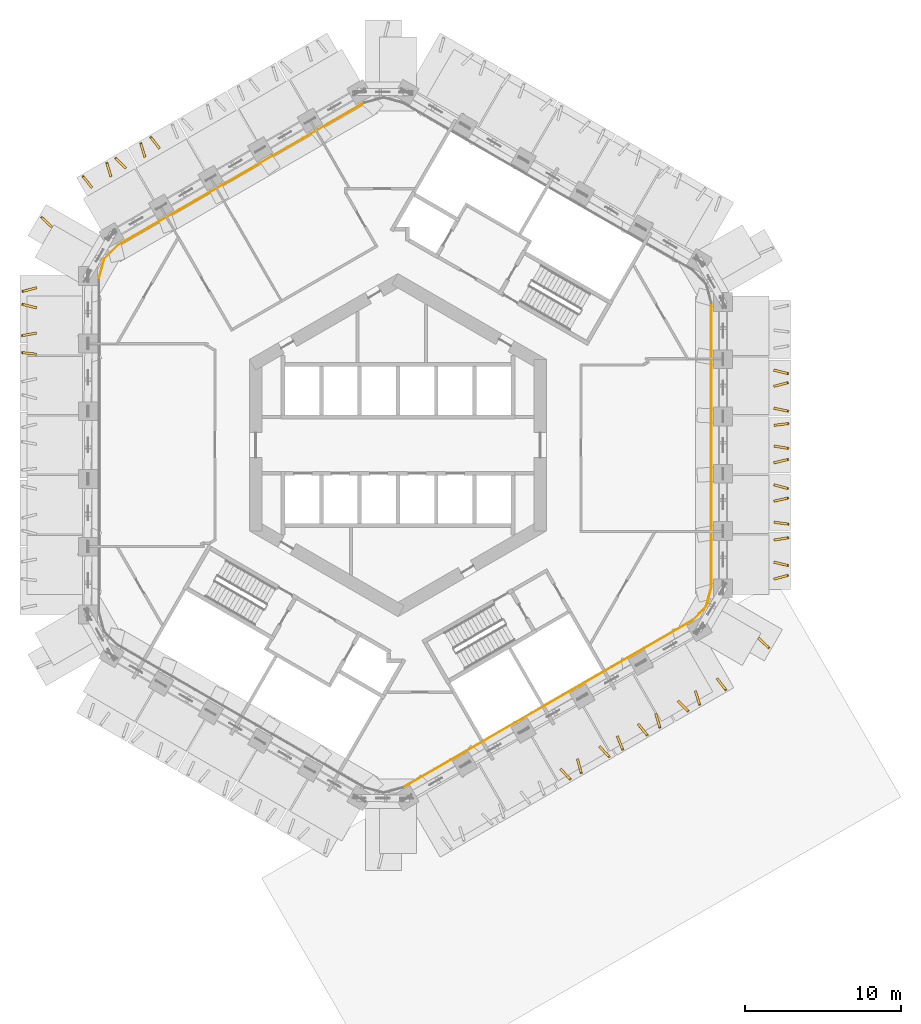
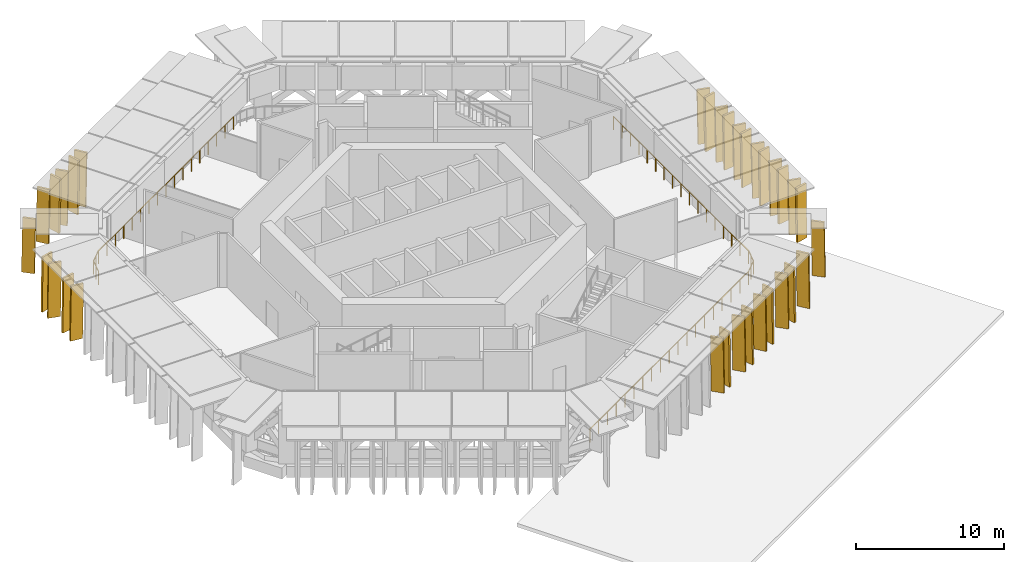
# One storey, part 14 of 16: 32 shading devices, 5 railings.
"""IFC4 building model written with IfcOpenShell, lengths in metres."""

from ifc_helpers import new_model, si_unit, direction, frame, origin, origin_2d, place, context, subcontext, project, spatial, polyline, circle, outline, extrude, material, layer, layer_set, type_object, element, save


model = new_model("IFC4")

# Units and contexts
model_context = context("Model", 3, precision=1e-05, world=origin(), true_north=direction((0.0, 1.0)))
body_context = subcontext(model_context, "Body", "Model", "MODEL_VIEW")
ifc_project = project(units=[si_unit("LENGTHUNIT", "METRE"), si_unit("AREAUNIT", "SQUARE_METRE"), si_unit("VOLUMEUNIT", "CUBIC_METRE"), si_unit("PLANEANGLEUNIT", "RADIAN"), si_unit("MASSUNIT", "GRAM", prefix="KILO")], contexts=[model_context])

# Site, building, storey
site_placement = place(None, origin())
site = spatial("IfcSite", under=ifc_project, at=site_placement, CompositionType="ELEMENT")
building_placement = place(site_placement, origin())
building = spatial("IfcBuilding", under=site, at=building_placement, Name="Ayvan Gate Tower", CompositionType="ELEMENT")
storey_placement = place(building_placement, frame((0.0, 0.0, 78.300048828125)))
storey = spatial("IfcBuildingStorey", under=building, at=storey_placement, Name="L20", CompositionType="ELEMENT", Elevation=78.300048828125)

# Shading devices
ifc_material_1 = material(Name="Bronze anodised aluminium", Category="aluminium")
ifc_layer = layer(ifc_material_1, 0.14990234375)
ifc_layer_set = layer_set([ifc_layer], Name="Bronze anodised aluminium")
shading_device_type = type_object("IfcShadingDeviceType", Name="Bronze fin 900 x 150", PredefinedType="USERDEFINED", material=ifc_layer_set)
shading_device_1_placement = place(storey_placement, frame((-15.220458984375, 19.064208984375, 0.0), z_axis=(0.78802844166, 0.615638742976, 0.000336573535), x_axis=(-0.615638777837, 0.788028486302, -3.5977e-08)))
element("IfcShadingDevice", 1, at=shading_device_1_placement, inside=storey, type_object=shading_device_type, Name="Bronze fin FG06.1.11", ObjectType="FIN", PredefinedType="USERDEFINED", context=body_context, shape_type="SweptSolid", body=[
    extrude(outline(polyline([(0.0, 0.0), (0.899928500883632, -2.710505431213761e-20), (0.8280711252017352, 4.500000284675394), (-0.0720076781178922, 4.500000219916683), (0.0, 0.0)])), origin(), (0.0, 0.0, -1.0), 0.14990234375),
])
shading_device_2_placement = place(storey_placement, frame((-16.126953125, 18.501708984375, 0.0), z_axis=(0.955866901319, 0.293799873458, 0.000318307569), x_axis=(-0.293799888338, 0.955866949744, -1.2683e-08)))
element("IfcShadingDevice", 2, at=shading_device_2_placement, inside=storey, type_object=shading_device_type, Name="Bronze fin FG06.1.12", ObjectType="FIN", PredefinedType="USERDEFINED", context=body_context, shape_type="SweptSolid", body=[
    extrude(outline(polyline([(0.0, 0.0), (0.9000635766521777, -1.3552527156068805e-20), (0.8279775809336907, 4.500000238470928), (-0.07185262976395976, 4.500000215642167), (0.0, 0.0)])), origin(), (0.0, 0.0, -1.0), 0.14990234375),
])
shading_device_3_placement = place(storey_placement, frame((-17.400390625, 17.803955078125, 0.0), z_axis=(0.707242369731, 0.70697108382, 0.000342198211), x_axis=(-0.706971125213, 0.70724241114, 0.0)))
element("IfcShadingDevice", 3, at=shading_device_3_placement, inside=storey, type_object=shading_device_type, Name="Bronze fin FG06.1.13", ObjectType="FIN", PredefinedType="USERDEFINED", context=body_context, shape_type="SweptSolid", body=[
    extrude(outline(polyline([(0.0, 0.0), (0.8999384077507213, 0.0), (0.8279499450758525, 4.500000263474158), (-0.07198846267486883, 4.500000263474158), (0.0, 0.0)])), origin(), (0.0, 0.0, -1.0), 0.14990234375),
])
shading_device_4_placement = place(storey_placement, frame((-18.298828125, 17.24658203125, 0.0), z_axis=(0.957601951774, 0.288094411554, 0.000334649452), x_axis=(-0.288094427685, 0.957602005395, 0.0)))
element("IfcShadingDevice", 4, at=shading_device_4_placement, inside=storey, type_object=shading_device_type, Name="Bronze fin FG06.1.14", ObjectType="FIN", PredefinedType="USERDEFINED", context=body_context, shape_type="SweptSolid", body=[
    extrude(outline(polyline([(0.0, 0.0), (0.8999734768668024, 0.0), (0.8280207353337602, 4.500000251978094), (-0.07195274153304218, 4.500000251978094), (0.0, 0.0)])), origin(), (0.0, 0.0, -1.0), 0.14990234375),
])
shading_device_5_placement = place(storey_placement, frame((-19.5517578125, 16.563720703125, 0.0), z_axis=(0.7844554557, 0.620185084465, 0.000314688107), x_axis=(-0.62018511518, 0.784455494537, 2.6477e-08)))
element("IfcShadingDevice", 5, at=shading_device_5_placement, inside=storey, type_object=shading_device_type, Name="Bronze fin FG06.1.15", ObjectType="FIN", PredefinedType="USERDEFINED", context=body_context, shape_type="SweptSolid", body=[
    extrude(outline(polyline([(0.0, 0.0), (0.8998056660175113, -5.421010862427522e-20), (0.8280392968265617, 4.500000200890674), (-0.07195788664567056, 4.5000002485434205), (0.0, 0.0)])), origin(), (0.0, 0.0, -1.0), 0.14990234375),
])
shading_device_6_placement = place(storey_placement, frame((-22.12353515625, 14.038330078125, 0.0), z_axis=(0.690159545504, 0.723657169348, 0.000320937371), x_axis=(-0.723657206623, 0.69015958104, 3.15e-08)))
element("IfcShadingDevice", 6, at=shading_device_6_placement, inside=storey, type_object=shading_device_type, Name="Bronze fin FG06.2.16", ObjectType="FIN", PredefinedType="USERDEFINED", context=body_context, shape_type="SweptSolid", body=[
    extrude(outline(polyline([(0.0, 0.0), (0.9000203616792718, 2.710505431213761e-20), (0.828216941549575, 4.500000205662958), (-0.07197191612116177, 4.5000002623695945), (0.0, 0.0)])), origin(), (0.0, 0.0, -1.0), 0.14990234375),
])
shading_device_7_placement = place(storey_placement, frame((-23.197265625, 10.12158203125, 0.0), z_axis=(-0.256108793971, 0.966647916226, 0.000302829912), x_axis=(-0.96664796055, -0.256108805714, 0.0)))
element("IfcShadingDevice", 7, at=shading_device_7_placement, inside=storey, type_object=shading_device_type, Name="Bronze fin FG06.3.17", ObjectType="FIN", PredefinedType="USERDEFINED", context=body_context, shape_type="SweptSolid", body=[
    extrude(outline(polyline([(0.0, 0.0), (0.899886083016155, 0.0), (0.8280137848918094, 4.500000206338414), (-0.0718722981243457, 4.500000206338414), (0.0, 0.0)])), origin(), (0.0, 0.0, -1.0), 0.14990234375),
])
shading_device_8_placement = place(storey_placement, frame((-23.161376953125, 8.86962890625, 0.0), z_axis=(0.242407937249, 0.970174352099, 0.000344219732), x_axis=(-0.970174409572, 0.242407951625, -4.53e-08)))
element("IfcShadingDevice", 8, at=shading_device_8_placement, inside=storey, type_object=shading_device_type, Name="Bronze fin FG06.3.18", ObjectType="FIN", PredefinedType="USERDEFINED", context=body_context, shape_type="SweptSolid", body=[
    extrude(outline(polyline([(0.0, 0.0), (0.89991611264241, 0.0), (0.8280317895208282, 4.500000304105726), (-0.07182514149276695, 4.50000022257687), (0.0, 0.0)])), origin(), (0.0, 0.0, -1.0), 0.14990234375),
])
shading_device_9_placement = place(storey_placement, frame((-23.198974609375, 7.22705078125, 0.0), z_axis=(-0.170356549136, 0.985382427925, 0.0003419112), x_axis=(-0.985382485522, -0.170356559096, 7.901e-09)))
element("IfcShadingDevice", 9, at=shading_device_9_placement, inside=storey, type_object=shading_device_type, Name="Bronze fin FG06.3.19", ObjectType="FIN", PredefinedType="USERDEFINED", context=body_context, shape_type="SweptSolid", body=[
    extrude(outline(polyline([(0.0, 0.0), (0.8998762467107398, 2.0328790734103208e-20), (0.828039858466114, 4.500000256489773), (-0.07207696014050513, 4.500000270712088), (0.0, 0.0)])), origin(), (0.0, 0.0, -1.0), 0.14990234375),
])
shading_device_10_placement = place(storey_placement, frame((-23.180908203125, 5.895751953125, 0.0), z_axis=(0.115566211323, 0.993299724787, 0.00032793177), x_axis=(-0.993299778196, 0.115566217539, -5.141e-09)))
element("IfcShadingDevice", 10, at=shading_device_10_placement, inside=storey, type_object=shading_device_type, Name="Bronze fin FG06.3.20", ObjectType="FIN", PredefinedType="USERDEFINED", context=body_context, shape_type="SweptSolid", body=[
    extrude(outline(polyline([(0.0, 0.0), (0.899829515782778, 6.776263578034403e-21), (0.8281320111638688, 4.500000246220912), (-0.07194000944757038, 4.5000002369672645), (0.0, 0.0)])), origin(), (0.0, 0.0, -1.0), 0.14990234375),
])
shading_device_11_placement = place(storey_placement, frame((10.373291015625, -20.7978515625, 0.0), z_axis=(-0.72531429153, -0.688417809896, 0.000312282269), x_axis=(0.688417843477, -0.725314326883, 5.9887e-08)))
element("IfcShadingDevice", 11, at=shading_device_11_placement, inside=storey, type_object=shading_device_type, Name="Bronze fin FG06.7.55", ObjectType="FIN", PredefinedType="USERDEFINED", context=body_context, shape_type="SweptSolid", body=[
    extrude(outline(polyline([(0.0, 0.0), (0.899894942017636, 0.0), (0.828023053358427, 4.500000169832675), (-0.0718808965897282, 4.50000027761727), (0.0, 0.0)])), origin(), (0.0, 0.0, -1.0), 0.14990234375),
])
shading_device_12_placement = place(storey_placement, frame((11.420654296875, -20.147216796875, 0.0), z_axis=(-0.965826226959, -0.25919027099, 0.000320533494), x_axis=(0.259190284288, -0.965826276579, -5.3251e-08)))
element("IfcShadingDevice", 12, at=shading_device_12_placement, inside=storey, type_object=shading_device_type, Name="Bronze fin FG06.7.56", ObjectType="FIN", PredefinedType="USERDEFINED", context=body_context, shape_type="SweptSolid", body=[
    extrude(outline(polyline([(0.0, 0.0), (0.9001059795882117, 0.0), (0.8282381532861475, 4.5000002752738135), (-0.07169530774925889, 4.500000179419025), (0.0, 0.0)])), origin(), (0.0, 0.0, -1.0), 0.14990234375),
])
shading_device_13_placement = place(storey_placement, frame((12.867919921875, -19.357666015625, 0.0), z_axis=(-0.733840755807, -0.679321446283, 0.00034312669), x_axis=(0.679321486274, -0.733840799006, 2.537e-09)))
element("IfcShadingDevice", 13, at=shading_device_13_placement, inside=storey, type_object=shading_device_type, Name="Bronze fin FG06.7.57", ObjectType="FIN", PredefinedType="USERDEFINED", context=body_context, shape_type="SweptSolid", body=[
    extrude(outline(polyline([(0.0, 0.0), (0.9002620911201006, 0.0), (0.8281610703349012, 4.5000002628051705), (-0.07175601046164465, 4.500000267371442), (0.0, 0.0)])), origin(), (0.0, 0.0, -1.0), 0.14990234375),
])
shading_device_14_placement = place(storey_placement, frame((13.974365234375, -18.696044921875, 0.0), z_axis=(-0.925577144423, -0.3785588819, 0.000350222645), x_axis=(0.378558905102, -0.925577201193, -4.397e-08)))
element("IfcShadingDevice", 14, at=shading_device_14_placement, inside=storey, type_object=shading_device_type, Name="Bronze fin FG06.7.58", ObjectType="FIN", PredefinedType="USERDEFINED", context=body_context, shape_type="SweptSolid", body=[
    extrude(outline(polyline([(0.0, 0.0), (0.8999411823943515, 0.0), (0.8280946917176193, 4.500000312386823), (-0.07193891228442312, 4.5000002332425995), (0.0, 0.0)])), origin(), (0.0, 0.0, -1.0), 0.14990234375),
])
shading_device_15_placement = place(storey_placement, frame((15.3408203125, -17.9306640625, 0.0), z_axis=(-0.780060896523, -0.625703515155, 0.000329906677), x_axis=(0.625703549222, -0.78006093896, 6.2907e-08)))
element("IfcShadingDevice", 15, at=shading_device_15_placement, inside=storey, type_object=shading_device_type, Name="Bronze fin FG06.7.59", ObjectType="FIN", PredefinedType="USERDEFINED", context=body_context, shape_type="SweptSolid", body=[
    extrude(outline(polyline([(0.0, 0.0), (0.8999446502843855, 2.710505431213761e-20), (0.8280746116763181, 4.500000192794899), (-0.07190772351767132, 4.500000306022634), (0.0, 0.0)])), origin(), (0.0, 0.0, -1.0), 0.14990234375),
])
shading_device_16_placement = place(storey_placement, frame((16.43115234375, -17.260009765625, 0.0), z_axis=(-0.95830269805, -0.285754852079, 0.000321593761), x_axis=(0.285754866869, -0.958302747602, 4.1795e-08)))
element("IfcShadingDevice", 16, at=shading_device_16_placement, inside=storey, type_object=shading_device_type, Name="Bronze fin FG06.7.60", ObjectType="FIN", PredefinedType="USERDEFINED", context=body_context, shape_type="SweptSolid", body=[
    extrude(outline(polyline([(0.0, 0.0), (0.9001145598037595, 1.3552527156068805e-20), (0.8281585430949878, 4.500000198088002), (-0.07188625233697757, 4.500000273325366), (0.0, 0.0)])), origin(), (0.0, 0.0, -1.0), 0.14990234375),
])
shading_device_17_placement = place(storey_placement, frame((17.890625, -16.45654296875, 0.0), z_axis=(-0.707174555667, -0.707038925718, 0.000324556759), x_axis=(0.707038962949, -0.70717459292, -3.1133e-08)))
element("IfcShadingDevice", 17, at=shading_device_17_placement, inside=storey, type_object=shading_device_type, Name="Bronze fin FG06.7.61", ObjectType="FIN", PredefinedType="USERDEFINED", context=body_context, shape_type="SweptSolid", body=[
    extrude(outline(polyline([(0.0, 0.0), (0.899938403610433, 2.710505431213761e-20), (0.8282952158631853, 4.5000002627954085), (-0.07181580468156154, 4.500000206755295), (0.0, 0.0)])), origin(), (0.0, 0.0, -1.0), 0.14990234375),
])
shading_device_18_placement = place(storey_placement, frame((18.965087890625, -15.799072265625, 0.0), z_axis=(-0.955373360729, -0.295400792116, 0.000337086694), x_axis=(0.295400808899, -0.955373415007, 0.0)))
element("IfcShadingDevice", 18, at=shading_device_18_placement, inside=storey, type_object=shading_device_type, Name="Bronze fin FG06.7.62", ObjectType="FIN", PredefinedType="USERDEFINED", context=body_context, shape_type="SweptSolid", body=[
    extrude(outline(polyline([(0.0, 0.0), (0.9000284786486996, 0.0), (0.8281783463323538, 4.500000255661761), (-0.07185013231634575, 4.500000255661761), (0.0, 0.0)])), origin(), (0.0, 0.0, -1.0), 0.14990234375),
])
shading_device_19_placement = place(storey_placement, frame((20.3828125, -15.019287109375, 0.0), z_axis=(-0.791174579345, -0.611590292862, 0.000314125737), x_axis=(0.611590323039, -0.791174618378, 7.65e-09)))
element("IfcShadingDevice", 19, at=shading_device_19_placement, inside=storey, type_object=shading_device_type, Name="Bronze fin FG06.7.63", ObjectType="FIN", PredefinedType="USERDEFINED", context=body_context, shape_type="SweptSolid", body=[
    extrude(outline(polyline([(0.0, 0.0), (0.9001446631495624, -2.710505431213761e-20), (0.8280870116840049, 4.500000215683733), (-0.07171517955603206, 4.500000229453586), (0.0, 0.0)])), origin(), (0.0, 0.0, -1.0), 0.14990234375),
])
shading_device_20_placement = place(storey_placement, frame((23.047119140625, -12.440673828125, 0.0), z_axis=(-0.685842549788, -0.727749875848, 0.000339269418), x_axis=(0.727749917739, -0.685842589251, 3.3489e-08)))
element("IfcShadingDevice", 20, at=shading_device_20_placement, inside=storey, type_object=shading_device_type, Name="Bronze fin FG06.8.64", ObjectType="FIN", PredefinedType="USERDEFINED", context=body_context, shape_type="SweptSolid", body=[
    extrude(outline(polyline([(0.0, 0.0), (0.8999909899709306, -2.710505431213761e-20), (0.8281866836119024, 4.500000231248508), (-0.07197174839741957, 4.500000291533239), (0.0, 0.0)])), origin(), (0.0, 0.0, -1.0), 0.14990234375),
])
shading_device_21_placement = place(storey_placement, frame((24.118896484375, -8.624267578125, 0.0), z_axis=(0.257696403179, -0.966225882236, 0.000329066816), x_axis=(0.96622593455, 0.257696417132, 0.0)))
element("IfcShadingDevice", 21, at=shading_device_21_placement, inside=storey, type_object=shading_device_type, Name="Bronze fin FG06.9.65", ObjectType="FIN", PredefinedType="USERDEFINED", context=body_context, shape_type="SweptSolid", body=[
    extrude(outline(polyline([(0.0, 0.0), (0.9000264587751636, 1.3552527156068805e-20), (0.8281564962554887, 4.5000002436412005), (-0.07186996251967488, 4.5000002436412005), (0.0, 0.0)])), origin(), (0.0, 0.0, -1.0), 0.14990234375),
])
shading_device_22_placement = place(storey_placement, frame((24.083984375, -7.56982421875, 0.0), z_axis=(-0.236690744189, -0.971584986031, 0.000326397012), x_axis=(0.971585037782, -0.236690756807, -3.253e-08)))
element("IfcShadingDevice", 22, at=shading_device_22_placement, inside=storey, type_object=shading_device_type, Name="Bronze fin FG06.9.66", ObjectType="FIN", PredefinedType="USERDEFINED", context=body_context, shape_type="SweptSolid", body=[
    extrude(outline(polyline([(0.0, 0.0), (0.9001095302803095, 0.0), (0.8281146980340978, 4.500000266642468), (-0.07169984303854832, 4.500000208090712), (0.0, 0.0)])), origin(), (0.0, 0.0, -1.0), 0.14990234375),
])
shading_device_23_placement = place(storey_placement, frame((24.120361328125, -6.134521484375, 0.0), z_axis=(0.158016942948, -0.98743634735, 0.000325073694), x_axis=(0.987436399525, 0.158016951283, -4.3539e-08)))
element("IfcShadingDevice", 23, at=shading_device_23_placement, inside=storey, type_object=shading_device_type, Name="Bronze fin FG06.9.67", ObjectType="FIN", PredefinedType="USERDEFINED", context=body_context, shape_type="SweptSolid", body=[
    extrude(outline(polyline([(0.0, 0.0), (0.8999595605269316, 6.776263578034403e-21), (0.8282638884509664, 4.500000273825809), (-0.07173425043321208, 4.500000195457528), (0.0, 0.0)])), origin(), (0.0, 0.0, -1.0), 0.14990234375),
])
shading_device_24_placement = place(storey_placement, frame((24.1005859375, -5.014404296875, 0.0), z_axis=(-0.129240615364, -0.991613199942, 0.000353611563), x_axis=(0.99161326194, -0.129240623428, 4.7554e-08)))
element("IfcShadingDevice", 24, at=shading_device_24_placement, inside=storey, type_object=shading_device_type, Name="Bronze fin FG06.9.68", ObjectType="FIN", PredefinedType="USERDEFINED", context=body_context, shape_type="SweptSolid", body=[
    extrude(outline(polyline([(0.0, 0.0), (0.900111480079485, -6.776263578034403e-21), (0.8282742803360026, 4.500000241955245), (-0.07186875263006151, 4.500000327563659), (0.0, 0.0)])), origin(), (0.0, 0.0, -1.0), 0.14990234375),
])
shading_device_25_placement = place(storey_placement, frame((24.1201171875, -3.643310546875, 0.0), z_axis=(0.217045350764, -0.976161465062, 0.000331420432), x_axis=(0.976161518673, 0.217045362684, 0.0)))
element("IfcShadingDevice", 25, at=shading_device_25_placement, inside=storey, type_object=shading_device_type, Name="Bronze fin FG06.9.69", ObjectType="FIN", PredefinedType="USERDEFINED", context=body_context, shape_type="SweptSolid", body=[
    extrude(outline(polyline([(0.0, 0.0), (0.8998694908035976, -1.3552527156068805e-20), (0.8279214170897116, 4.5000002471389005), (-0.07194807371388606, 4.5000002471389005), (0.0, 0.0)])), origin(), (0.0, 0.0, -1.0), 0.14990234375),
])
shading_device_26_placement = place(storey_placement, frame((24.080078125, -2.62548828125, 0.0), z_axis=(-0.257823020685, -0.966192109078, 0.000313625327), x_axis=(0.966192156592, -0.257823033377, -4.1096e-08)))
element("IfcShadingDevice", 26, at=shading_device_26_placement, inside=storey, type_object=shading_device_type, Name="Bronze fin FG06.9.70", ObjectType="FIN", PredefinedType="USERDEFINED", context=body_context, shape_type="SweptSolid", body=[
    extrude(outline(polyline([(0.0, 0.0), (0.9000893961237628, 1.3552527156068805e-20), (0.8281717626928409, 4.500000255346431), (-0.07185468835441401, 4.500000181368956), (0.0, 0.0)])), origin(), (0.0, 0.0, -1.0), 0.14990234375),
])
shading_device_27_placement = place(storey_placement, frame((24.11962890625, -1.192138671875, 0.0), z_axis=(0.23790527599, -0.971288301802, 0.000338287518), x_axis=(0.971288357378, 0.237905289606, 1.0917e-08)))
element("IfcShadingDevice", 27, at=shading_device_27_placement, inside=storey, type_object=shading_device_type, Name="Bronze fin FG06.9.71", ObjectType="FIN", PredefinedType="USERDEFINED", context=body_context, shape_type="SweptSolid", body=[
    extrude(outline(polyline([(0.0, 0.0), (0.8998670064444957, 1.3552527156068805e-20), (0.8280932037414959, 4.500000248445844), (-0.07201093364962528, 4.500000268096965), (0.0, 0.0)])), origin(), (0.0, 0.0, -1.0), 0.14990234375),
])
shading_device_28_placement = place(storey_placement, frame((24.095947265625, -0.14404296875, 0.0), z_axis=(-0.163299169113, -0.986576541632, 0.000329951897), x_axis=(0.986576595336, -0.163299178002, 0.0)))
element("IfcShadingDevice", 28, at=shading_device_28_placement, inside=storey, type_object=shading_device_type, Name="Bronze fin FG06.9.72", ObjectType="FIN", PredefinedType="USERDEFINED", context=body_context, shape_type="SweptSolid", body=[
    extrude(outline(polyline([(0.0, 0.0), (0.9000207964825616, 0.0), (0.8282583961739489, 4.500000244953593), (-0.07176240030861272, 4.500000244953593), (0.0, 0.0)])), origin(), (0.0, 0.0, -1.0), 0.14990234375),
])
shading_device_29_placement = place(storey_placement, frame((24.119873046875, 1.19921875, 0.0), z_axis=(0.121797528511, -0.992554914974, 0.000320639562), x_axis=(0.992554965996, 0.121797534772, 0.0)))
element("IfcShadingDevice", 29, at=shading_device_29_placement, inside=storey, type_object=shading_device_type, Name="Bronze fin FG06.9.73", ObjectType="FIN", PredefinedType="USERDEFINED", context=body_context, shape_type="SweptSolid", body=[
    extrude(outline(polyline([(0.0, 0.0), (0.9000111605693982, 0.0), (0.8281184527861936, 4.500000231321907), (-0.07189270778320477, 4.500000231321907), (0.0, 0.0)])), origin(), (0.0, 0.0, -1.0), 0.14990234375),
])
shading_device_30_placement = place(storey_placement, frame((24.08837890625, 2.2783203125, 0.0), z_axis=(-0.211872097952, -0.977297353228, 0.000312221352), x_axis=(0.977297400864, -0.211872108276, 8.972e-09)))
element("IfcShadingDevice", 30, at=shading_device_30_placement, inside=storey, type_object=shading_device_type, Name="Bronze fin FG06.9.74", ObjectType="FIN", PredefinedType="USERDEFINED", context=body_context, shape_type="SweptSolid", body=[
    extrude(outline(polyline([(0.0, 0.0), (0.9000670536804167, -1.3552527156068805e-20), (0.8280720605052581, 4.5000002119057445), (-0.0717563951769009, 4.500000228053749), (0.0, 0.0)])), origin(), (0.0, 0.0, -1.0), 0.14990234375),
])
shading_device_31_placement = place(storey_placement, frame((24.118896484375, 3.701416015625, 0.0), z_axis=(0.256936428214, -0.966428254802, 0.000316506111), x_axis=(0.966428303209, 0.256936441083, 0.0)))
element("IfcShadingDevice", 31, at=shading_device_31_placement, inside=storey, type_object=shading_device_type, Name="Bronze fin FG06.9.75", ObjectType="FIN", PredefinedType="USERDEFINED", context=body_context, shape_type="SweptSolid", body=[
    extrude(outline(polyline([(0.0, 0.0), (0.8998379945645463, 0.0), (0.8279668896832945, 4.500000225396283), (-0.0718711048812519, 4.500000225396283), (0.0, 0.0)])), origin(), (0.0, 0.0, -1.0), 0.14990234375),
])
shading_device_32_placement = place(storey_placement, frame((24.083251953125, 4.708251953125, 0.0), z_axis=(-0.241450289964, -0.970413131687, 0.000333654991), x_axis=(0.970413185703, -0.241450303404, 0.0)))
element("IfcShadingDevice", 32, at=shading_device_32_placement, inside=storey, type_object=shading_device_type, Name="Bronze fin FG06.9.76", ObjectType="FIN", PredefinedType="USERDEFINED", context=body_context, shape_type="SweptSolid", body=[
    extrude(outline(polyline([(0.0, 0.0), (0.8999166834201547, 0.0), (0.8280931926726595, 4.50000025048274), (-0.0718234907474952, 4.50000025048274), (0.0, 0.0)])), origin(), (0.0, 0.0, -1.0), 0.14990234375),
])

# Railings
ifc_material_2 = material(Name="Stainless steel 316 and laminated glass", Category="steel")
railing_type = type_object("IfcRailingType", Name="Refuge band guard 1100", PredefinedType="GUARDRAIL", material=ifc_material_2)
railing_1_placement = place(storey_placement, frame((-2.132080078125, 21.903076171875, 0.0)))
element("IfcRailing", 33, at=railing_1_placement, inside=storey, type_object=railing_type, Name="Refuge band guard L20.1", PredefinedType="GUARDRAIL", context=body_context, shape_type="SweptSolid", body=[
    extrude(circle(Radius=0.02490234375, at=origin_2d()), frame((0.0, 0.0, 1.0751953125), z_axis=(-0.866028410865, -0.499994791547, 0.0), x_axis=(0.499994791547, -0.866028410865, 0.0)), (0.0, 0.0, 1.0), 18.210205078125),
    extrude(circle(Radius=0.02001953125, at=origin_2d()), origin(), (0.0, 0.0, 1.0), 1.050048828125),
    extrude(circle(Radius=0.02001953125, at=origin_2d()), frame((-0.985595703125, -0.569091796875, 0.0)), (0.0, 0.0, 1.0), 1.050048828125),
    extrude(circle(Radius=0.02001953125, at=origin_2d()), frame((-1.97119140625, -1.13818359375, 0.0)), (0.0, 0.0, 1.0), 1.050048828125),
    extrude(circle(Radius=0.02001953125, at=origin_2d()), frame((-2.95703125, -1.707275390625, 0.0)), (0.0, 0.0, 1.0), 1.050048828125),
    extrude(circle(Radius=0.02001953125, at=origin_2d()), frame((-3.942626953125, -2.2763671875, 0.0)), (0.0, 0.0, 1.0), 1.050048828125),
    extrude(circle(Radius=0.02001953125, at=origin_2d()), frame((-4.92822265625, -2.84521484375, 0.0)), (0.0, 0.0, 1.0), 1.050048828125),
    extrude(circle(Radius=0.02001953125, at=origin_2d()), frame((-5.9140625, -3.414306640625, 0.0)), (0.0, 0.0, 1.0), 1.050048828125),
    extrude(circle(Radius=0.02001953125, at=origin_2d()), frame((-6.899658203125, -3.9833984375, 0.0)), (0.0, 0.0, 1.0), 1.050048828125),
    extrude(circle(Radius=0.02001953125, at=origin_2d()), frame((-7.88525390625, -4.552490234375, 0.0)), (0.0, 0.0, 1.0), 1.050048828125),
    extrude(circle(Radius=0.02001953125, at=origin_2d()), frame((-8.870849609375, -5.12158203125, 0.0)), (0.0, 0.0, 1.0), 1.050048828125),
    extrude(circle(Radius=0.02001953125, at=origin_2d()), frame((-9.8564453125, -5.690673828125, 0.0)), (0.0, 0.0, 1.0), 1.050048828125),
    extrude(circle(Radius=0.02001953125, at=origin_2d()), frame((-10.84228515625, -6.259765625, 0.0)), (0.0, 0.0, 1.0), 1.050048828125),
    extrude(circle(Radius=0.02001953125, at=origin_2d()), frame((-11.827880859375, -6.82861328125, 0.0)), (0.0, 0.0, 1.0), 1.050048828125),
    extrude(circle(Radius=0.02001953125, at=origin_2d()), frame((-12.8134765625, -7.397705078125, 0.0)), (0.0, 0.0, 1.0), 1.050048828125),
    extrude(circle(Radius=0.02001953125, at=origin_2d()), frame((-13.79931640625, -7.966796875, 0.0)), (0.0, 0.0, 1.0), 1.050048828125),
    extrude(circle(Radius=0.02001953125, at=origin_2d()), frame((-14.784912109375, -8.535888671875, 0.0)), (0.0, 0.0, 1.0), 1.050048828125),
    extrude(circle(Radius=0.02001953125, at=origin_2d()), frame((-15.7705078125, -9.10498046875, 0.0)), (0.0, 0.0, 1.0), 1.050048828125),
])
railing_2_placement = place(storey_placement, frame((-17.902587890625, 12.798095703125, 0.0)))
element("IfcRailing", 34, at=railing_2_placement, inside=storey, type_object=railing_type, Name="Refuge band guard L20.2", PredefinedType="GUARDRAIL", context=body_context, shape_type="SweptSolid", body=[
    extrude(circle(Radius=0.02490234375, at=origin_2d()), frame((0.0, 0.0, 1.0751953125), z_axis=(-0.707009363432, -0.707204185522, 0.0), x_axis=(0.707204185522, -0.707009363432, 0.0)), (0.0, 0.0, 1.0), 1.253173828125),
    extrude(circle(Radius=0.02490234375, at=origin_2d()), frame((-0.885986328125, -0.88623046875, 1.0751953125), z_axis=(-0.258911363806, -0.965901084838, 0.0), x_axis=(0.965901084838, -0.258911363806, 0.0)), (0.0, 0.0, 1.0), 1.253173828125),
    extrude(circle(Radius=0.02001953125, at=origin_2d()), origin(), (0.0, 0.0, 1.0), 1.050048828125),
    extrude(circle(Radius=0.02001953125, at=origin_2d()), frame((-0.44287109375, -0.443115234375, 0.0)), (0.0, 0.0, 1.0), 1.050048828125),
    extrude(circle(Radius=0.02001953125, at=origin_2d()), frame((-0.885986328125, -0.88623046875, 0.0)), (0.0, 0.0, 1.0), 1.050048828125),
    extrude(circle(Radius=0.02001953125, at=origin_2d()), frame((-1.04833984375, -1.491455078125, 0.0)), (0.0, 0.0, 1.0), 1.050048828125),
    extrude(circle(Radius=0.02001953125, at=origin_2d()), frame((-1.21044921875, -2.0966796875, 0.0)), (0.0, 0.0, 1.0), 1.050048828125),
])
railing_3_placement = place(storey_placement, frame((0.288818359375, -21.903076171875, 0.0)))
element("IfcRailing", 35, at=railing_3_placement, inside=storey, type_object=railing_type, Name="Refuge band guard L20.7", PredefinedType="GUARDRAIL", context=body_context, shape_type="SweptSolid", body=[
    extrude(circle(Radius=0.02490234375, at=origin_2d()), frame((0.0, 0.0, 1.0751953125), z_axis=(0.866025452127, 0.499999916269, 0.0), x_axis=(-0.499999916269, 0.866025452127, 0.0)), (0.0, 0.0, 1.0), 21.40283203125),
    extrude(circle(Radius=0.02001953125, at=origin_2d()), origin(), (0.0, 0.0, 1.0), 1.050048828125),
    extrude(circle(Radius=0.02001953125, at=origin_2d()), frame((1.02978515625, 0.594482421875, 0.0)), (0.0, 0.0, 1.0), 1.050048828125),
    extrude(circle(Radius=0.02001953125, at=origin_2d()), frame((2.0595703125, 1.18896484375, 0.0)), (0.0, 0.0, 1.0), 1.050048828125),
    extrude(circle(Radius=0.02001953125, at=origin_2d()), frame((3.08935546875, 1.78369140625, 0.0)), (0.0, 0.0, 1.0), 1.050048828125),
    extrude(circle(Radius=0.02001953125, at=origin_2d()), frame((4.118896484375, 2.378173828125, 0.0)), (0.0, 0.0, 1.0), 1.050048828125),
    extrude(circle(Radius=0.02001953125, at=origin_2d()), frame((5.148681640625, 2.97265625, 0.0)), (0.0, 0.0, 1.0), 1.050048828125),
    extrude(circle(Radius=0.02001953125, at=origin_2d()), frame((6.178466796875, 3.567138671875, 0.0)), (0.0, 0.0, 1.0), 1.050048828125),
    extrude(circle(Radius=0.02001953125, at=origin_2d()), frame((7.208251953125, 4.16162109375, 0.0)), (0.0, 0.0, 1.0), 1.050048828125),
    extrude(circle(Radius=0.02001953125, at=origin_2d()), frame((8.238037109375, 4.756103515625, 0.0)), (0.0, 0.0, 1.0), 1.050048828125),
    extrude(circle(Radius=0.02001953125, at=origin_2d()), frame((9.267578125, 5.3505859375, 0.0)), (0.0, 0.0, 1.0), 1.050048828125),
    extrude(circle(Radius=0.02001953125, at=origin_2d()), frame((10.29736328125, 5.9453125, 0.0)), (0.0, 0.0, 1.0), 1.050048828125),
    extrude(circle(Radius=0.02001953125, at=origin_2d()), frame((11.3271484375, 6.539794921875, 0.0)), (0.0, 0.0, 1.0), 1.050048828125),
    extrude(circle(Radius=0.02001953125, at=origin_2d()), frame((12.35693359375, 7.13427734375, 0.0)), (0.0, 0.0, 1.0), 1.050048828125),
    extrude(circle(Radius=0.02001953125, at=origin_2d()), frame((13.38671875, 7.728759765625, 0.0)), (0.0, 0.0, 1.0), 1.050048828125),
    extrude(circle(Radius=0.02001953125, at=origin_2d()), frame((14.41650390625, 8.3232421875, 0.0)), (0.0, 0.0, 1.0), 1.050048828125),
    extrude(circle(Radius=0.02001953125, at=origin_2d()), frame((15.4462890625, 8.91796875, 0.0)), (0.0, 0.0, 1.0), 1.050048828125),
    extrude(circle(Radius=0.02001953125, at=origin_2d()), frame((16.475830078125, 9.512451171875, 0.0)), (0.0, 0.0, 1.0), 1.050048828125),
    extrude(circle(Radius=0.02001953125, at=origin_2d()), frame((17.505615234375, 10.10693359375, 0.0)), (0.0, 0.0, 1.0), 1.050048828125),
    extrude(circle(Radius=0.02001953125, at=origin_2d()), frame((18.535400390625, 10.701416015625, 0.0)), (0.0, 0.0, 1.0), 1.050048828125),
])
railing_4_placement = place(storey_placement, frame((18.82421875, -11.20166015625, 0.0)))
element("IfcRailing", 36, at=railing_4_placement, inside=storey, type_object=railing_type, Name="Refuge band guard L20.8", PredefinedType="GUARDRAIL", context=body_context, shape_type="SweptSolid", body=[
    extrude(circle(Radius=0.02490234375, at=origin_2d()), frame((0.0, 0.0, 1.0751953125), z_axis=(0.707009363432, 0.707204185522, 0.0), x_axis=(-0.707204185522, 0.707009363432, 0.0)), (0.0, 0.0, 1.0), 1.253173828125),
    extrude(circle(Radius=0.02490234375, at=origin_2d()), frame((0.885986328125, 0.88623046875, 1.0751953125), z_axis=(0.258911363806, 0.965901084838, 0.0), x_axis=(-0.965901084838, 0.258911363806, 0.0)), (0.0, 0.0, 1.0), 1.253173828125),
    extrude(circle(Radius=0.02001953125, at=origin_2d()), origin(), (0.0, 0.0, 1.0), 1.050048828125),
    extrude(circle(Radius=0.02001953125, at=origin_2d()), frame((0.44287109375, 0.443115234375, 0.0)), (0.0, 0.0, 1.0), 1.050048828125),
    extrude(circle(Radius=0.02001953125, at=origin_2d()), frame((0.885986328125, 0.88623046875, 0.0)), (0.0, 0.0, 1.0), 1.050048828125),
    extrude(circle(Radius=0.02001953125, at=origin_2d()), frame((1.04833984375, 1.491455078125, 0.0)), (0.0, 0.0, 1.0), 1.050048828125),
    extrude(circle(Radius=0.02001953125, at=origin_2d()), frame((1.21044921875, 2.0966796875, 0.0)), (0.0, 0.0, 1.0), 1.050048828125),
])
railing_5_placement = place(storey_placement, frame((20.03466796875, -9.10498046875, 0.0)))
element("IfcRailing", 37, at=railing_5_placement, inside=storey, type_object=railing_type, Name="Refuge band guard L20.9", PredefinedType="GUARDRAIL", context=body_context, shape_type="SweptSolid", body=[
    extrude(circle(Radius=0.02490234375, at=origin_2d()), frame((0.0, 0.0, 1.0751953125), z_axis=(0.0, 1.0, 0.0), x_axis=(-1.0, 0.0, 0.0)), (0.0, 0.0, 1.0), 18.2099609375),
    extrude(circle(Radius=0.02001953125, at=origin_2d()), origin(), (0.0, 0.0, 1.0), 1.050048828125),
    extrude(circle(Radius=0.02001953125, at=origin_2d()), frame((0.0, 1.13818359375, 0.0)), (0.0, 0.0, 1.0), 1.050048828125),
    extrude(circle(Radius=0.02001953125, at=origin_2d()), frame((0.0, 2.2763671875, 0.0)), (0.0, 0.0, 1.0), 1.050048828125),
    extrude(circle(Radius=0.02001953125, at=origin_2d()), frame((0.0, 3.414306640625, 0.0)), (0.0, 0.0, 1.0), 1.050048828125),
    extrude(circle(Radius=0.02001953125, at=origin_2d()), frame((0.0, 4.552490234375, 0.0)), (0.0, 0.0, 1.0), 1.050048828125),
    extrude(circle(Radius=0.02001953125, at=origin_2d()), frame((0.0, 5.690673828125, 0.0)), (0.0, 0.0, 1.0), 1.050048828125),
    extrude(circle(Radius=0.02001953125, at=origin_2d()), frame((0.0, 6.82861328125, 0.0)), (0.0, 0.0, 1.0), 1.050048828125),
    extrude(circle(Radius=0.02001953125, at=origin_2d()), frame((0.0, 7.966796875, 0.0)), (0.0, 0.0, 1.0), 1.050048828125),
    extrude(circle(Radius=0.02001953125, at=origin_2d()), frame((0.0, 9.10498046875, 0.0)), (0.0, 0.0, 1.0), 1.050048828125),
    extrude(circle(Radius=0.02001953125, at=origin_2d()), frame((0.0, 10.2431640625, 0.0)), (0.0, 0.0, 1.0), 1.050048828125),
    extrude(circle(Radius=0.02001953125, at=origin_2d()), frame((0.0, 11.38134765625, 0.0)), (0.0, 0.0, 1.0), 1.050048828125),
    extrude(circle(Radius=0.02001953125, at=origin_2d()), frame((0.0, 12.519287109375, 0.0)), (0.0, 0.0, 1.0), 1.050048828125),
    extrude(circle(Radius=0.02001953125, at=origin_2d()), frame((0.0, 13.657470703125, 0.0)), (0.0, 0.0, 1.0), 1.050048828125),
    extrude(circle(Radius=0.02001953125, at=origin_2d()), frame((0.0, 14.795654296875, 0.0)), (0.0, 0.0, 1.0), 1.050048828125),
    extrude(circle(Radius=0.02001953125, at=origin_2d()), frame((0.0, 15.93359375, 0.0)), (0.0, 0.0, 1.0), 1.050048828125),
    extrude(circle(Radius=0.02001953125, at=origin_2d()), frame((0.0, 17.07177734375, 0.0)), (0.0, 0.0, 1.0), 1.050048828125),
    extrude(circle(Radius=0.02001953125, at=origin_2d()), frame((0.0, 18.2099609375, 0.0)), (0.0, 0.0, 1.0), 1.050048828125),
])

save(model, "model.ifc")
